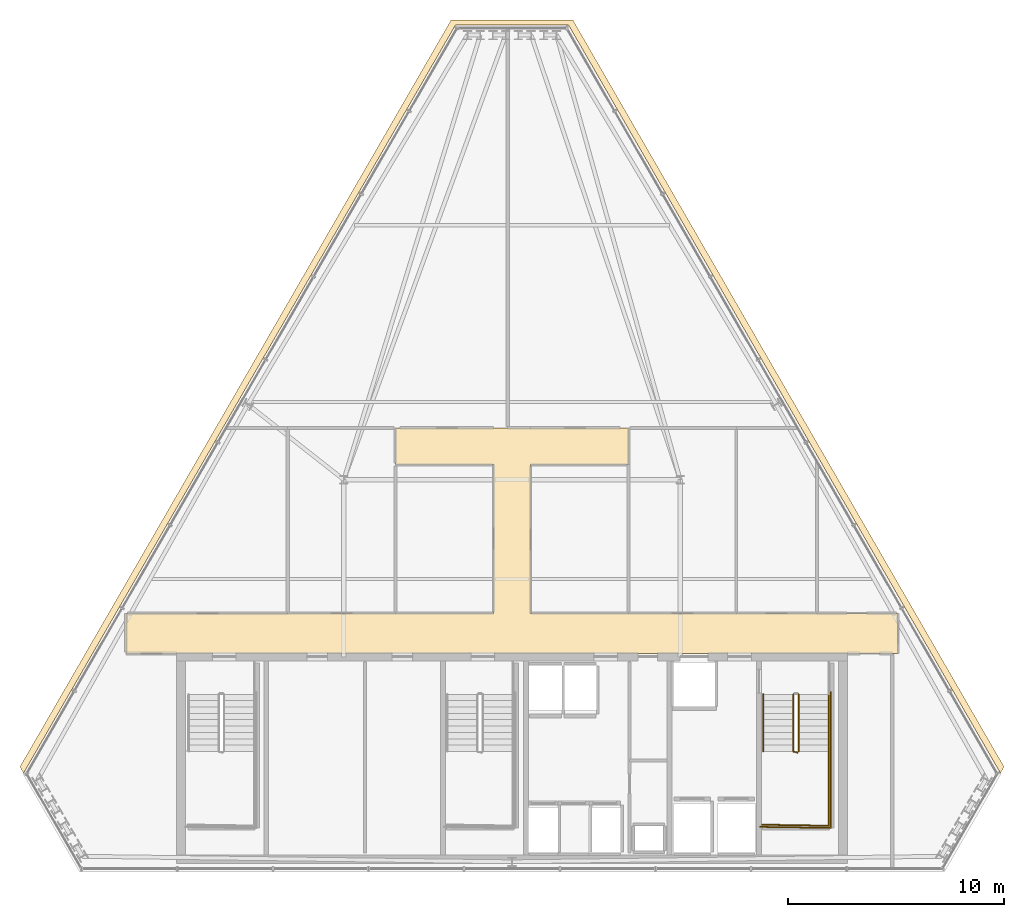
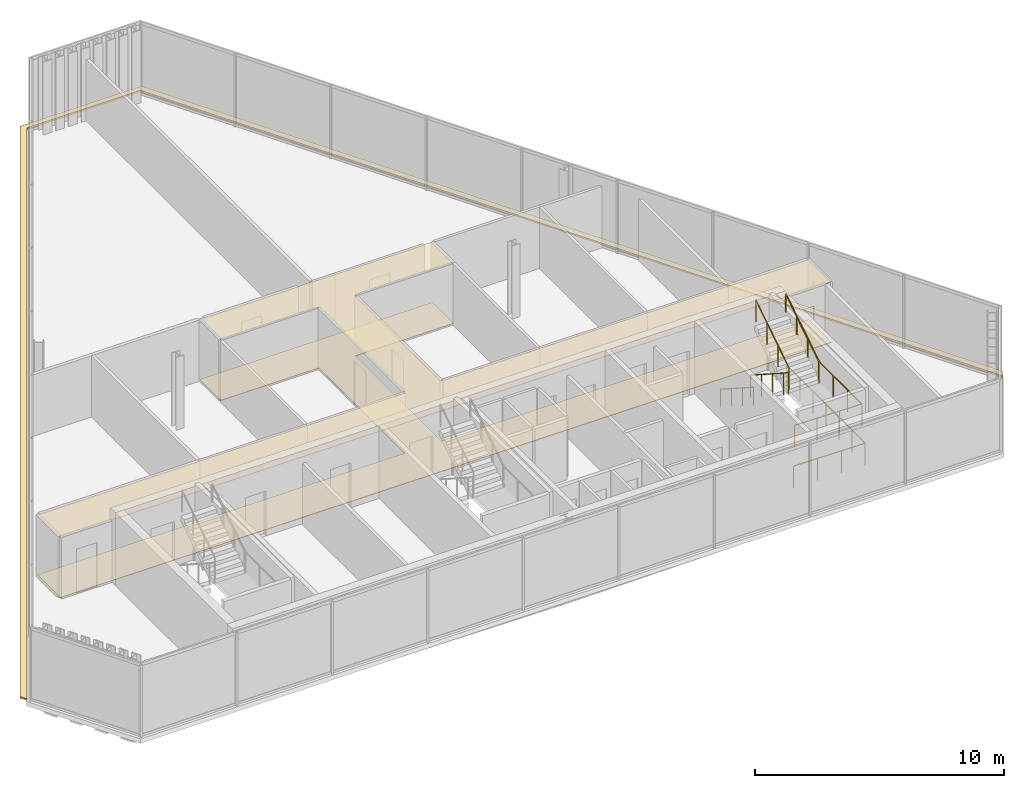
# One storey, part 34 of 35: 6 railings, 3 coverings.
"""IFC4 building model written with IfcOpenShell, lengths in metres."""

from ifc_helpers import new_model, si_unit, direction, frame, origin, origin_2d, place, context, subcontext, project, spatial, polyline, circle, outline, extrude, material, layer, layer_set, type_object, element, save


model = new_model("IFC4")

# Units and contexts
model_context = context("Model", 3, precision=1e-05, world=origin(), true_north=direction((0.0, 1.0)))
body_context = subcontext(model_context, "Body", "Model", "MODEL_VIEW")
ifc_project = project(units=[si_unit("LENGTHUNIT", "METRE"), si_unit("AREAUNIT", "SQUARE_METRE"), si_unit("VOLUMEUNIT", "CUBIC_METRE"), si_unit("PLANEANGLEUNIT", "RADIAN"), si_unit("MASSUNIT", "GRAM", prefix="KILO")], contexts=[model_context])

# Site, building, storey
site_placement = place(None, origin())
site = spatial("IfcSite", under=ifc_project, at=site_placement, CompositionType="ELEMENT")
building_placement = place(site_placement, origin())
building = spatial("IfcBuilding", under=site, at=building_placement, Name="Ndaravel Arena Tower", CompositionType="ELEMENT")
storey_placement = place(building_placement, frame((0.0, 0.0, 271.199951171875)))
storey = spatial("IfcBuildingStorey", under=building, at=storey_placement, Name="L66", CompositionType="ELEMENT", Elevation=271.199951171875)

# Coverings
ifc_material_1 = material(Name="Acoustic Ceiling Tile", Category="finish")
ifc_layer_1 = layer(ifc_material_1, 0.02490234375)
ifc_layer_set_1 = layer_set([ifc_layer_1], Name="Acoustic Ceiling Tile")
covering_type_1 = type_object("IfcCoveringType", Name="COV-CEIL-AC600", PredefinedType="CEILING", material=ifc_layer_set_1)
covering_1_placement = place(storey_placement, frame((0.0, 0.0, 2.98046875)))
element("IfcCovering", 1, at=covering_1_placement, inside=storey, type_object=covering_type_1, Name="L66 Corridor Acoustic Ceiling", PredefinedType="CEILING", context=body_context, shape_type="SweptSolid", body=[
    extrude(outline(polyline([(59.903076171875, 17.0), (42.85009765625, 17.0), (42.85009765625, 23.89990234375), (47.39990234375, 23.89990234375), (47.39990234375, 25.60009765625), (42.85009765625, 25.60009765625), (41.14990234375, 25.60009765625), (36.60009765625, 25.60009765625), (36.60009765625, 23.89990234375), (41.14990234375, 23.89990234375), (41.14990234375, 17.0), (24.096923828125, 17.0), (24.096923828125, 15.14990234375), (59.903076171875, 15.14990234375), (59.903076171875, 17.0)])), origin(), (0.0, 0.0, 1.0), 0.025146484375),
])
ifc_material_2 = material(Name="Terrazzo", Category="stone")
ifc_layer_2 = layer(ifc_material_2, 0.030029296875)
ifc_layer_set_2 = layer_set([ifc_layer_2], Name="Terrazzo")
covering_type_2 = type_object("IfcCoveringType", Name="COV-FLOOR-TERRAZZO", PredefinedType="FLOORING", material=ifc_layer_set_2)
covering_2_placement = place(storey_placement, origin())
element("IfcCovering", 2, at=covering_2_placement, inside=storey, type_object=covering_type_2, Name="L66 Corridor Terrazzo Flooring", PredefinedType="FLOORING", context=body_context, shape_type="SweptSolid", body=[
    extrude(outline(polyline([(59.903076171875, 17.0), (42.85009765625, 17.0), (42.85009765625, 23.89990234375), (47.39990234375, 23.89990234375), (47.39990234375, 25.60009765625), (42.85009765625, 25.60009765625), (41.14990234375, 25.60009765625), (36.60009765625, 25.60009765625), (36.60009765625, 23.89990234375), (41.14990234375, 23.89990234375), (41.14990234375, 17.0), (24.096923828125, 17.0), (24.096923828125, 15.14990234375), (59.903076171875, 15.14990234375), (59.903076171875, 17.0)])), origin(), (0.0, 0.0, 1.0), 0.030029296875),
])
ifc_material_3 = material(Name="Roofing Membrane", Category="finish")
ifc_layer_3 = layer(ifc_material_3, 0.080078125)
ifc_layer_set_3 = layer_set([ifc_layer_3], Name="Roofing Membrane")
covering_type_3 = type_object("IfcCoveringType", Name="COV-ROOF-MEMB", PredefinedType="ROOFING", material=ifc_layer_set_3)
covering_3_placement = place(storey_placement, origin())
element("IfcCovering", 3, at=covering_3_placement, inside=storey, type_object=covering_type_3, Name="L66 Facet Setback Weathering Flashing", PredefinedType="ROOFING", context=body_context, shape_type="SweptSolid", body=[
    extrude(outline(polyline([(19.18408203125, 9.888916015625), (39.177490234375, 44.518310546875), (44.822509765625, 44.518310546875), (64.81591796875, 9.888916015625), (64.648193359375, 9.597900390625), (44.625732421875, 44.278076171875), (39.374267578125, 44.278076171875), (19.351806640625, 9.597900390625), (19.18408203125, 9.888916015625)])), origin(), (0.0, 0.0, 1.0), 0.080078125),
])

# Railings
ifc_material_4 = material(Name="Steel S355", Category="steel")
ifc_layer_4 = layer(ifc_material_4, 0.06005859375)
ifc_layer_set_4 = layer_set([ifc_layer_4], Name="Steel S355")
railing_type_1 = type_object("IfcRailingType", Name="RAIL-STAIR-GD1100", PredefinedType="GUARDRAIL", material=ifc_layer_set_4)
railing_1_placement = place(storey_placement, frame((55.050048828125, 13.25, 0.18994140625)))
element("IfcRailing", 4, at=railing_1_placement, inside=storey, type_object=railing_type_1, Name="L66 ST-3 stair guard 1", PredefinedType="GUARDRAIL", context=body_context, shape_type="SweptSolid", body=[
    extrude(circle(Radius=0.02392578125, at=origin_2d()), frame((0.0, 0.0, 1.076171875), z_axis=(0.0, -0.840688348013, 0.541519253134), x_axis=(1.0, 0.0, 0.0)), (0.0, 0.0, 1.0), 3.158203125),
    extrude(circle(Radius=0.02392578125, at=origin_2d()), frame((0.0, -2.655029296875, 2.7861328125), z_axis=(0.966993988697, -0.254799187253, 0.0), x_axis=(0.254799187253, 0.966993988697, 0.0)), (0.0, 0.0, 1.0), 0.196533203125),
    extrude(circle(Radius=0.02099609375, at=origin_2d()), origin(), (0.0, 0.0, 1.0), 1.052001953125),
    extrude(circle(Radius=0.02099609375, at=origin_2d()), frame((0.0, -0.885009765625, 0.570068359375)), (0.0, 0.0, 1.0), 1.052001953125),
    extrude(circle(Radius=0.02099609375, at=origin_2d()), frame((0.0, -1.77001953125, 1.14013671875)), (0.0, 0.0, 1.0), 1.052001953125),
    extrude(circle(Radius=0.02099609375, at=origin_2d()), frame((0.0, -2.655029296875, 1.710205078125)), (0.0, 0.0, 1.0), 1.052001953125),
    extrude(circle(Radius=0.02099609375, at=origin_2d()), frame((0.18994140625, -2.705078125, 1.710205078125)), (0.0, 0.0, 1.0), 1.052001953125),
])
railing_2_placement = place(storey_placement, frame((56.68994140625, 10.594970703125, 1.900146484375)))
element("IfcRailing", 5, at=railing_2_placement, inside=storey, type_object=railing_type_1, Name="L66 ST-3 stair guard 2", PredefinedType="GUARDRAIL", context=body_context, shape_type="SweptSolid", body=[
    extrude(circle(Radius=0.02392578125, at=origin_2d()), frame((0.0, 0.0, 1.076171875), z_axis=(0.0, -1.0, 0.0), x_axis=(1.0, 0.0, 0.0)), (0.0, 0.0, 1.0), 3.445068359375),
    extrude(circle(Radius=0.02392578125, at=origin_2d()), frame((0.0, -3.445068359375, 1.076171875), z_axis=(-0.999868840623, 0.016195726322, 0.0), x_axis=(-0.016195726322, -0.999868840623, 0.0)), (0.0, 0.0, 1.0), 3.09033203125),
    extrude(circle(Radius=0.02099609375, at=origin_2d()), origin(), (0.0, 0.0, 1.0), 1.052001953125),
    extrude(circle(Radius=0.02099609375, at=origin_2d()), frame((0.0, -1.1484375, 0.0)), (0.0, 0.0, 1.0), 1.052001953125),
    extrude(circle(Radius=0.02099609375, at=origin_2d()), frame((0.0, -2.296630859375, 0.0)), (0.0, 0.0, 1.0), 1.052001953125),
    extrude(circle(Radius=0.02099609375, at=origin_2d()), frame((0.0, -3.445068359375, 0.0)), (0.0, 0.0, 1.0), 1.052001953125),
    extrude(circle(Radius=0.02099609375, at=origin_2d()), frame((-1.030029296875, -3.428466796875, 0.0)), (0.0, 0.0, 1.0), 1.052001953125),
    extrude(circle(Radius=0.02099609375, at=origin_2d()), frame((-2.059814453125, -3.41162109375, 0.0)), (0.0, 0.0, 1.0), 1.052001953125),
    extrude(circle(Radius=0.02099609375, at=origin_2d()), frame((-3.08984375, -3.39501953125, 0.0)), (0.0, 0.0, 1.0), 1.052001953125),
])
railing_3_placement = place(storey_placement, frame((55.2900390625, 10.594970703125, 2.090087890625)))
element("IfcRailing", 6, at=railing_3_placement, inside=storey, type_object=railing_type_1, Name="L66 ST-3 stair guard 3", PredefinedType="GUARDRAIL", context=body_context, shape_type="SweptSolid", body=[
    extrude(circle(Radius=0.02392578125, at=origin_2d()), frame((0.0, 0.0, 1.076171875), z_axis=(0.0, 0.840723540582, 0.54146461409), x_axis=(-1.0, 0.0, 0.0)), (0.0, 0.0, 1.0), 3.157958984375),
    extrude(circle(Radius=0.02099609375, at=origin_2d()), origin(), (0.0, 0.0, 1.0), 1.052001953125),
    extrude(circle(Radius=0.02099609375, at=origin_2d()), frame((0.0, 0.885009765625, 0.570068359375)), (0.0, 0.0, 1.0), 1.052001953125),
    extrude(circle(Radius=0.02099609375, at=origin_2d()), frame((0.0, 1.77001953125, 1.139892578125)), (0.0, 0.0, 1.0), 1.052001953125),
    extrude(circle(Radius=0.02099609375, at=origin_2d()), frame((0.0, 2.655029296875, 1.7099609375)), (0.0, 0.0, 1.0), 1.052001953125),
])
railing_4_placement = place(storey_placement, frame((56.7900390625, 13.35009765625, 0.0)))
element("IfcRailing", 7, at=railing_4_placement, inside=storey, type_object=railing_type_1, Name="L66 ST-3 stair guard 6", PredefinedType="GUARDRAIL", context=body_context, shape_type="SweptSolid", body=[
    extrude(circle(Radius=0.02392578125, at=origin_2d()), frame((0.0, 0.0, 1.076171875), z_axis=(0.0, -1.0, 0.0), x_axis=(1.0, 0.0, 0.0)), (0.0, 0.0, 1.0), 6.300048828125),
    extrude(circle(Radius=0.02392578125, at=origin_2d()), frame((0.0, -6.300048828125, 1.076171875), z_axis=(-0.99988431412, 0.015210469308, 0.0), x_axis=(-0.015210469308, -0.99988431412, 0.0)), (0.0, 0.0, 1.0), 3.29052734375),
    extrude(circle(Radius=0.02099609375, at=origin_2d()), origin(), (0.0, 0.0, 1.0), 1.052001953125),
    extrude(circle(Radius=0.02099609375, at=origin_2d()), frame((0.0, -1.050048828125, 0.0)), (0.0, 0.0, 1.0), 1.052001953125),
    extrude(circle(Radius=0.02099609375, at=origin_2d()), frame((0.0, -2.10009765625, 0.0)), (0.0, 0.0, 1.0), 1.052001953125),
    extrude(circle(Radius=0.02099609375, at=origin_2d()), frame((0.0, -3.14990234375, 0.0)), (0.0, 0.0, 1.0), 1.052001953125),
    extrude(circle(Radius=0.02099609375, at=origin_2d()), frame((0.0, -4.199951171875, 0.0)), (0.0, 0.0, 1.0), 1.052001953125),
    extrude(circle(Radius=0.02099609375, at=origin_2d()), frame((0.0, -5.25, 0.0)), (0.0, 0.0, 1.0), 1.052001953125),
    extrude(circle(Radius=0.02099609375, at=origin_2d()), frame((0.0, -6.300048828125, 0.0)), (0.0, 0.0, 1.0), 1.052001953125),
    extrude(circle(Radius=0.02099609375, at=origin_2d()), frame((-1.0966796875, -6.283447265625, 0.0)), (0.0, 0.0, 1.0), 1.052001953125),
    extrude(circle(Radius=0.02099609375, at=origin_2d()), frame((-2.193359375, -6.2666015625, 0.0)), (0.0, 0.0, 1.0), 1.052001953125),
    extrude(circle(Radius=0.02099609375, at=origin_2d()), frame((-3.2900390625, -6.25, 0.0)), (0.0, 0.0, 1.0), 1.052001953125),
])
ifc_material_5 = material(Name="Steel S355", Category="steel")
ifc_layer_5 = layer(ifc_material_5, 0.050048828125)
ifc_layer_set_5 = layer_set([ifc_layer_5], Name="Steel S355")
railing_type_2 = type_object("IfcRailingType", Name="RAIL-STAIR-HR920", PredefinedType="HANDRAIL", material=ifc_layer_set_5)
railing_5_placement = place(storey_placement, frame((53.64990234375, 13.25, 0.18994140625)))
element("IfcRailing", 8, at=railing_5_placement, inside=storey, type_object=railing_type_2, Name="L66 ST-3 stair handrail 1", PredefinedType="HANDRAIL", context=body_context, shape_type="SweptSolid", body=[
    extrude(circle(Radius=0.02392578125, at=origin_2d()), frame((0.0, 0.0, 0.8759765625), z_axis=(0.0, -0.840688348013, 0.541519253134), x_axis=(1.0, 0.0, 0.0)), (0.0, 0.0, 1.0), 3.158203125),
    extrude(circle(Radius=0.02099609375, at=origin_2d()), origin(), (0.0, 0.0, 1.0), 0.851806640625),
    extrude(circle(Radius=0.02099609375, at=origin_2d()), frame((0.0, -0.885009765625, 0.570068359375)), (0.0, 0.0, 1.0), 0.851806640625),
    extrude(circle(Radius=0.02099609375, at=origin_2d()), frame((0.0, -1.77001953125, 1.14013671875)), (0.0, 0.0, 1.0), 0.851806640625),
    extrude(circle(Radius=0.02099609375, at=origin_2d()), frame((0.0, -2.655029296875, 1.710205078125)), (0.0, 0.0, 1.0), 0.851806640625),
])
railing_6_placement = place(storey_placement, frame((56.68994140625, 10.594970703125, 2.090087890625)))
element("IfcRailing", 9, at=railing_6_placement, inside=storey, type_object=railing_type_2, Name="L66 ST-3 stair handrail 2", PredefinedType="HANDRAIL", context=body_context, shape_type="SweptSolid", body=[
    extrude(circle(Radius=0.02392578125, at=origin_2d()), frame((0.0, 0.0, 0.8759765625), z_axis=(0.0, 0.840723540582, 0.54146461409), x_axis=(-1.0, 0.0, 0.0)), (0.0, 0.0, 1.0), 3.157958984375),
    extrude(circle(Radius=0.02099609375, at=origin_2d()), origin(), (0.0, 0.0, 1.0), 0.851806640625),
    extrude(circle(Radius=0.02099609375, at=origin_2d()), frame((0.0, 0.885009765625, 0.570068359375)), (0.0, 0.0, 1.0), 0.851806640625),
    extrude(circle(Radius=0.02099609375, at=origin_2d()), frame((0.0, 1.77001953125, 1.139892578125)), (0.0, 0.0, 1.0), 0.851806640625),
    extrude(circle(Radius=0.02099609375, at=origin_2d()), frame((0.0, 2.655029296875, 1.7099609375)), (0.0, 0.0, 1.0), 0.851806640625),
])

save(model, "model.ifc")
